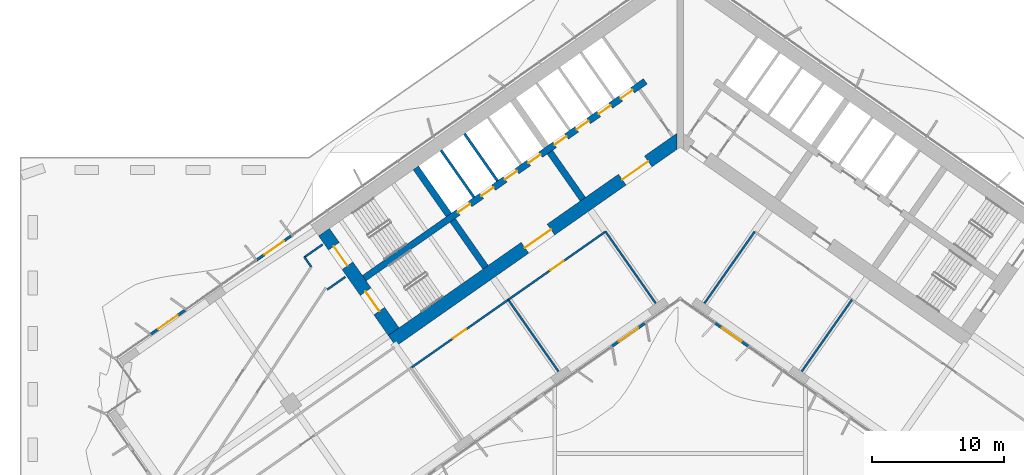
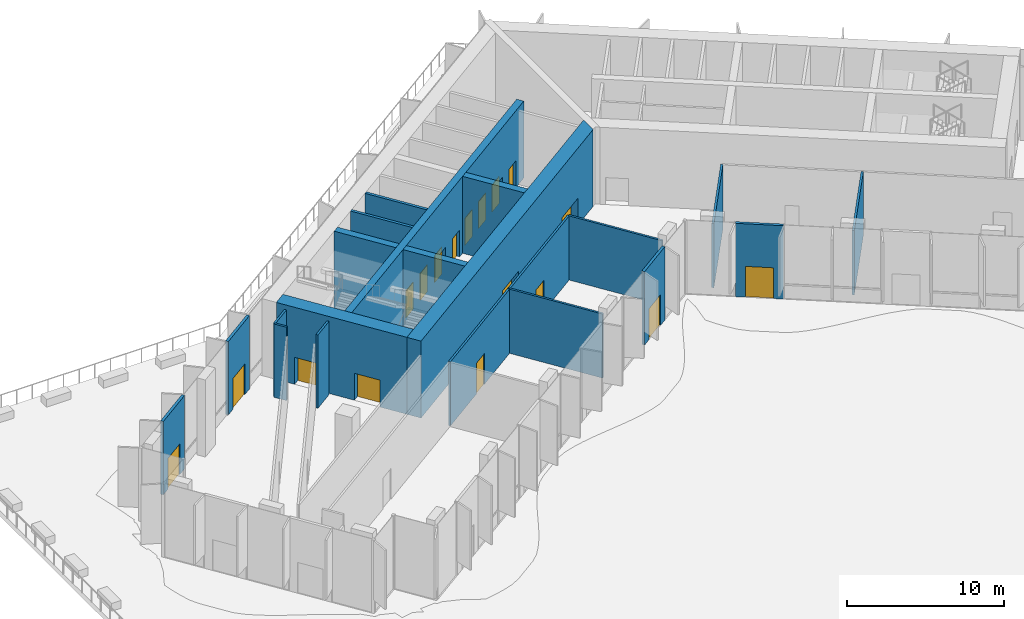
# One storey, part 18 of 27: 21 walls, 18 doors, 18 openings.
"""IFC4 building model written with IfcOpenShell, lengths in metres."""

from ifc_helpers import new_model, si_unit, direction, frame, frame_2d, origin, place, context, subcontext, project, spatial, polyline, rectangle, outline, extrude, material, layer, layer_set, type_object, element, fill, save


model = new_model("IFC4")

# Units and contexts
model_context = context("Model", 3, precision=1e-05, world=origin(), true_north=direction((0.0, 1.0)))
body_context = subcontext(model_context, "Body", "Model", "MODEL_VIEW")
ifc_project = project(units=[si_unit("LENGTHUNIT", "METRE"), si_unit("AREAUNIT", "SQUARE_METRE"), si_unit("VOLUMEUNIT", "CUBIC_METRE"), si_unit("PLANEANGLEUNIT", "RADIAN"), si_unit("MASSUNIT", "GRAM", prefix="KILO")], contexts=[model_context])

# Site, building, storey
site_placement = place(None, origin())
site = spatial("IfcSite", under=ifc_project, at=site_placement, CompositionType="ELEMENT")
building_placement = place(site_placement, origin())
building = spatial("IfcBuilding", under=site, at=building_placement, Name="Tel Ilan Convention Tower", CompositionType="ELEMENT")
storey_placement = place(building_placement, frame((0.0, 0.0, 48.5)))
storey = spatial("IfcBuildingStorey", under=building, at=storey_placement, Name="L07", CompositionType="ELEMENT", Elevation=48.5)

# Wall, openings, doors
ifc_material_1 = material(Name="Concrete C60/75", Category="concrete")
ifc_layer_1 = layer(ifc_material_1, 1.0)
ifc_layer_set_1 = layer_set([ifc_layer_1], Name="Core Shear Wall 1000 mm C60/75")
wall_type_1 = type_object("IfcWallType", Name="Core Shear Wall 1000 mm C60/75", PredefinedType="SHEAR", material=ifc_layer_set_1)
wall_1_placement = place(storey_placement, frame((0.036865234375, -0.584716796875, 0.0), z_axis=(0.0, 0.0, 1.0), x_axis=(-0.819157152511, -0.573569140985, 0.0)))
wall_1 = element("IfcWall", 1, at=wall_1_placement, inside=storey, type_object=wall_type_1, Name="L07 core wall W-front", PredefinedType="SHEAR", context=body_context, shape_type="SweptSolid", body=[
    extrude(outline(polyline([(26.69482421875, 0.500244140625), (0.7001953125, 0.499755859375), (0.0, -0.5), (26.69482421875, -0.499755859375), (26.69482421875, 0.500244140625)])), origin(), (0.0, 0.0, 1.0), 6.0),
])
opening_1_placement = place(wall_1_placement, frame((2.994873046875, 0.0, 0.0)))
opening_1 = element("IfcOpeningElement", 2, at=opening_1_placement, cuts=wall_1, Name="Opening CD1005", PredefinedType="OPENING", context=body_context, shape_type="SweptSolid", body=[
    extrude(rectangle(XDim=2.39990234375, YDim=2.10009765625, at=frame_2d((1.199951171875, 1.050048828125))), frame((0.0, 0.510009765625, 0.0), z_axis=(0.0, -1.0, 0.0), x_axis=(1.0, 0.0, 0.0)), (0.0, 0.0, 1.0), 1.02001953125),
])
opening_2_placement = place(wall_1_placement, frame((11.994873046875, 0.0, 0.0)))
opening_2 = element("IfcOpeningElement", 3, at=opening_2_placement, cuts=wall_1, Name="Opening CD1006", PredefinedType="OPENING", context=body_context, shape_type="SweptSolid", body=[
    extrude(rectangle(XDim=2.39990234375, YDim=2.10009765625, at=frame_2d((1.199951171875, 1.050048828125))), frame((0.0, 0.510009765625, 0.0), z_axis=(0.0, -1.0, 0.0), x_axis=(1.0, 0.0, 0.0)), (0.0, 0.0, 1.0), 1.02001953125),
])
ifc_material_2 = material(Name="Glazed Aluminium Door Leaf", Category="aluminium")
door_type_1 = type_object("IfcDoorType", Name="Lobby Opening Door 2400 x 2100 FD60S", OperationType="NOTDEFINED", PredefinedType="DOOR", material=ifc_material_2)
door_1_placement = place(opening_1_placement, origin())
door_1 = element("IfcDoor", 4, at=door_1_placement, inside=storey, type_object=door_type_1, Name="Lift Lobby LR1-LR4 opening", OperationType="DOUBLE_DOOR_SINGLE_SWING", OverallHeight=2.10009765625, OverallWidth=2.39990234375, PredefinedType="DOOR", context=body_context, shape_type="SweptSolid", body=[
    extrude(rectangle(XDim=2.39990234375, YDim=2.10009765625, at=frame_2d((1.199951171875, 1.050048828125))), frame((0.0, 0.02490234375, 0.0), z_axis=(0.0, -1.0, 0.0), x_axis=(1.0, 0.0, 0.0)), (0.0, 0.0, 1.0), 0.050048828125),
])
fill(opening_1, door_1)
door_2_placement = place(opening_2_placement, origin())
door_2 = element("IfcDoor", 5, at=door_2_placement, inside=storey, type_object=door_type_1, Name="Lift Lobby LR5-LR8 opening", OperationType="DOUBLE_DOOR_SINGLE_SWING", OverallHeight=2.10009765625, OverallWidth=2.39990234375, PredefinedType="DOOR", context=body_context, shape_type="SweptSolid", body=[
    extrude(rectangle(XDim=2.39990234375, YDim=2.10009765625, at=frame_2d((1.199951171875, 1.050048828125))), frame((0.0, 0.02490234375, 0.0), z_axis=(0.0, -1.0, 0.0), x_axis=(1.0, 0.0, 0.0)), (0.0, 0.0, 1.0), 0.050048828125),
])
fill(opening_2, door_2)

wall_2_placement = place(storey_placement, frame((-21.70751953125, -15.19970703125, 0.0), z_axis=(0.0, 0.0, 1.0), x_axis=(-0.573576324356, 0.819152122709, 0.0)))
wall_2 = element("IfcWall", 6, at=wall_2_placement, inside=storey, type_object=wall_type_1, Name="L07 core wall W-end", PredefinedType="SHEAR", context=body_context, shape_type="SweptSolid", body=[
    extrude(outline(polyline([(0.0, 0.5), (0.0, -0.5), (9.199951171875, -0.5), (9.199951171875, 0.5), (0.0, 0.5)])), origin(), (0.0, 0.0, 1.0), 6.0),
])
opening_3_placement = place(wall_2_placement, frame((6.10009765625, 0.0, 0.0)))
opening_3 = element("IfcOpeningElement", 7, at=opening_3_placement, cuts=wall_2, Name="Opening SD1001", PredefinedType="OPENING", context=body_context, shape_type="SweptSolid", body=[
    extrude(rectangle(XDim=1.800048828125, YDim=2.10009765625, at=frame_2d((0.89990234375, 1.050048828125))), frame((0.0, 0.510009765625, 0.0), z_axis=(0.0, -1.0, 0.0), x_axis=(1.0, 0.0, 0.0)), (0.0, 0.0, 1.0), 1.02001953125),
])
opening_4_placement = place(wall_2_placement, frame((1.89990234375, 0.0, 0.0)))
opening_4 = element("IfcOpeningElement", 8, at=opening_4_placement, cuts=wall_2, Name="Opening SD1002", PredefinedType="OPENING", context=body_context, shape_type="SweptSolid", body=[
    extrude(rectangle(XDim=1.800048828125, YDim=2.10009765625, at=frame_2d((0.89990234375, 1.050048828125))), frame((0.0, 0.510009765625, 0.0), z_axis=(0.0, -1.0, 0.0), x_axis=(1.0, 0.0, 0.0)), (0.0, 0.0, 1.0), 1.02001953125),
])
ifc_material_3 = material(Name="Galvanised Steel Door Leaf", Category="steel")
door_type_2 = type_object("IfcDoorType", Name="Stair Fire Door 1800 x 2100 FD60S", OperationType="NOTDEFINED", PredefinedType="DOOR", material=ifc_material_3)
door_3_placement = place(opening_3_placement, origin())
door_3 = element("IfcDoor", 9, at=door_3_placement, inside=storey, type_object=door_type_2, Name="Stair S1 door", OperationType="DOUBLE_DOOR_SINGLE_SWING", OverallHeight=2.10009765625, OverallWidth=1.800048828125, PredefinedType="DOOR", context=body_context, shape_type="SweptSolid", body=[
    extrude(rectangle(XDim=1.800048828125, YDim=2.10009765625, at=frame_2d((0.89990234375, 1.050048828125))), frame((0.0, 0.02490234375, 0.0), z_axis=(0.0, -1.0, 0.0), x_axis=(1.0, 0.0, 0.0)), (0.0, 0.0, 1.0), 0.050048828125),
])
fill(opening_3, door_3)
door_4_placement = place(opening_4_placement, origin())
door_4 = element("IfcDoor", 10, at=door_4_placement, inside=storey, type_object=door_type_2, Name="Stair S2 door", OperationType="DOUBLE_DOOR_SINGLE_SWING", OverallHeight=2.10009765625, OverallWidth=1.800048828125, PredefinedType="DOOR", context=body_context, shape_type="SweptSolid", body=[
    extrude(rectangle(XDim=1.800048828125, YDim=2.10009765625, at=frame_2d((0.89990234375, 1.050048828125))), frame((0.0, 0.02490234375, 0.0), z_axis=(0.0, -1.0, 0.0), x_axis=(1.0, 0.0, 0.0)), (0.0, 0.0, 1.0), 0.050048828125),
])
fill(opening_4, door_4)

# Walls
ifc_material_4 = material(Name="Concrete C60/75", Category="concrete")
ifc_layer_2 = layer(ifc_material_4, 0.5)
ifc_layer_set_2 = layer_set([ifc_layer_2], Name="Core Shear Wall 500 mm C60/75")
wall_type_2 = type_object("IfcWallType", Name="Core Shear Wall 500 mm C60/75", PredefinedType="SHEAR", material=ifc_layer_set_2)
wall_3_placement = place(storey_placement, frame((-7.372314453125, -5.162109375, 0.0), z_axis=(0.0, 0.0, 1.0), x_axis=(-0.573594173421, 0.819139624372, 0.0)))
element("IfcWall", 11, at=wall_3_placement, inside=storey, type_object=wall_type_2, Name="L07 core wall W-cross1-1", PredefinedType="SHEAR", context=body_context, shape_type="SweptSolid", body=[
    extrude(outline(polyline([(4.349853515625, 0.25), (0.0, 0.250244140625), (0.0, -0.25), (4.349853515625, -0.25), (4.349853515625, 0.25)])), origin(), (0.0, 0.0, 1.0), 6.0),
])
wall_4_placement = place(storey_placement, frame((-14.74462890625, -10.324462890625, 0.0), z_axis=(0.0, 0.0, 1.0), x_axis=(-0.57356780395, 0.819158088694, 0.0)))
element("IfcWall", 12, at=wall_4_placement, inside=storey, type_object=wall_type_2, Name="L07 core wall W-cross2-1", PredefinedType="SHEAR", context=body_context, shape_type="SweptSolid", body=[
    extrude(outline(polyline([(4.35009765625, 0.250244140625), (0.0, 0.25), (0.0, -0.25), (4.35009765625, -0.25), (4.35009765625, 0.250244140625)])), origin(), (0.0, 0.0, 1.0), 6.0),
])
wall_5_placement = place(storey_placement, frame((-17.526611328125, -6.3515625, 0.0), z_axis=(0.0, 0.0, 1.0), x_axis=(-0.573530143085, 0.819184457233, 0.0)))
element("IfcWall", 13, at=wall_5_placement, inside=storey, type_object=wall_type_2, Name="L07 core wall W-cross2-2", PredefinedType="SHEAR", context=body_context, shape_type="SweptSolid", body=[
    extrude(outline(polyline([(4.35009765625, -0.249755859375), (4.35009765625, 0.250244140625), (0.0, 0.25), (0.0, -0.25), (4.35009765625, -0.249755859375)])), origin(), (0.0, 0.0, 1.0), 6.0),
])

# Wall, openings, doors
wall_6_placement = place(storey_placement, frame((-2.638427734375, 3.76806640625, 0.0), z_axis=(0.0, 0.0, 1.0), x_axis=(-0.819148977158, -0.573580816643, 0.0)))
wall_6 = element("IfcWall", 14, at=wall_6_placement, inside=storey, type_object=wall_type_2, Name="L07 core wall W-spine", PredefinedType="SHEAR", context=body_context, shape_type="SweptSolid", body=[
    extrude(outline(polyline([(26.0, 0.249755859375), (0.0, 0.25), (0.0, -0.25), (26.0, -0.250244140625), (26.0, 0.249755859375)])), origin(), (0.0, 0.0, 1.0), 6.0),
])
opening_5_placement = place(wall_6_placement, frame((1.168701171875, 0.0, 0.0)))
opening_5 = element("IfcOpeningElement", 15, at=opening_5_placement, cuts=wall_6, Name="Opening LD1004", PredefinedType="OPENING", context=body_context, shape_type="SweptSolid", body=[
    extrude(rectangle(XDim=1.10009765625, YDim=2.10009765625, at=frame_2d((0.550048828125, 1.050048828125))), frame((0.0, 0.260009765625, 0.0), z_axis=(0.0, -1.0, 0.0), x_axis=(1.0, 0.0, 0.0)), (0.0, 0.0, 1.0), 0.52001953125),
])
opening_6_placement = place(wall_6_placement, frame((3.206298828125, 0.0, 0.0)))
opening_6 = element("IfcOpeningElement", 16, at=opening_6_placement, cuts=wall_6, Name="Opening LD1005", PredefinedType="OPENING", context=body_context, shape_type="SweptSolid", body=[
    extrude(rectangle(XDim=1.10009765625, YDim=2.10009765625, at=frame_2d((0.550048828125, 1.050048828125))), frame((0.0, 0.260009765625, 0.0), z_axis=(0.0, -1.0, 0.0), x_axis=(1.0, 0.0, 0.0)), (0.0, 0.0, 1.0), 0.52001953125),
])
opening_7_placement = place(wall_6_placement, frame((5.24365234375, 0.0, 0.0)))
opening_7 = element("IfcOpeningElement", 17, at=opening_7_placement, cuts=wall_6, Name="Opening LD1006", PredefinedType="OPENING", context=body_context, shape_type="SweptSolid", body=[
    extrude(rectangle(XDim=1.10009765625, YDim=2.10009765625, at=frame_2d((0.550048828125, 1.050048828125))), frame((0.0, 0.260009765625, 0.0), z_axis=(0.0, -1.0, 0.0), x_axis=(1.0, 0.0, 0.0)), (0.0, 0.0, 1.0), 0.52001953125),
])
opening_8_placement = place(wall_6_placement, frame((7.28125, 0.0, 0.0)))
opening_8 = element("IfcOpeningElement", 18, at=opening_8_placement, cuts=wall_6, Name="Opening LD1007", PredefinedType="OPENING", context=body_context, shape_type="SweptSolid", body=[
    extrude(rectangle(XDim=1.10009765625, YDim=2.10009765625, at=frame_2d((0.550048828125, 1.050048828125))), frame((0.0, 0.260009765625, 0.0), z_axis=(0.0, -1.0, 0.0), x_axis=(1.0, 0.0, 0.0)), (0.0, 0.0, 1.0), 0.52001953125),
])
opening_9_placement = place(wall_6_placement, frame((9.6875, 0.0, 0.0)))
opening_9 = element("IfcOpeningElement", 19, at=opening_9_placement, cuts=wall_6, Name="Opening LD1008", PredefinedType="OPENING", context=body_context, shape_type="SweptSolid", body=[
    extrude(rectangle(XDim=1.10009765625, YDim=2.10009765625, at=frame_2d((0.550048828125, 1.050048828125))), frame((0.0, 0.260009765625, 0.0), z_axis=(0.0, -1.0, 0.0), x_axis=(1.0, 0.0, 0.0)), (0.0, 0.0, 1.0), 0.52001953125),
])
opening_10_placement = place(wall_6_placement, frame((11.862548828125, 0.0, 0.0)))
opening_10 = element("IfcOpeningElement", 20, at=opening_10_placement, cuts=wall_6, Name="Opening LD1009", PredefinedType="OPENING", context=body_context, shape_type="SweptSolid", body=[
    extrude(rectangle(XDim=1.10009765625, YDim=2.10009765625, at=frame_2d((0.550048828125, 1.050048828125))), frame((0.0, 0.260009765625, 0.0), z_axis=(0.0, -1.0, 0.0), x_axis=(1.0, 0.0, 0.0)), (0.0, 0.0, 1.0), 0.52001953125),
])
opening_11_placement = place(wall_6_placement, frame((14.03759765625, 0.0, 0.0)))
opening_11 = element("IfcOpeningElement", 21, at=opening_11_placement, cuts=wall_6, Name="Opening LD1010", PredefinedType="OPENING", context=body_context, shape_type="SweptSolid", body=[
    extrude(rectangle(XDim=1.10009765625, YDim=2.10009765625, at=frame_2d((0.550048828125, 1.050048828125))), frame((0.0, 0.260009765625, 0.0), z_axis=(0.0, -1.0, 0.0), x_axis=(1.0, 0.0, 0.0)), (0.0, 0.0, 1.0), 0.52001953125),
])
opening_12_placement = place(wall_6_placement, frame((16.21240234375, 0.0, 0.0)))
opening_12 = element("IfcOpeningElement", 22, at=opening_12_placement, cuts=wall_6, Name="Opening LD1011", PredefinedType="OPENING", context=body_context, shape_type="SweptSolid", body=[
    extrude(rectangle(XDim=1.10009765625, YDim=2.10009765625, at=frame_2d((0.550048828125, 1.050048828125))), frame((0.0, 0.260009765625, 0.0), z_axis=(0.0, -1.0, 0.0), x_axis=(1.0, 0.0, 0.0)), (0.0, 0.0, 1.0), 0.52001953125),
])
ifc_material_5 = material(Name="Stainless Steel Sliding Door Leaf", Category="steel")
door_type_3 = type_object("IfcDoorType", Name="Lift Landing Door 1100 x 2100 FD120", OperationType="NOTDEFINED", PredefinedType="DOOR", material=ifc_material_5)
door_5_placement = place(opening_5_placement, origin())
door_5 = element("IfcDoor", 23, at=door_5_placement, inside=storey, type_object=door_type_3, Name="Lift LR1 landing door", OperationType="SLIDING_TO_LEFT", OverallHeight=2.10009765625, OverallWidth=1.10009765625, PredefinedType="DOOR", context=body_context, shape_type="SweptSolid", body=[
    extrude(rectangle(XDim=1.10009765625, YDim=2.10009765625, at=frame_2d((0.550048828125, 1.050048828125))), frame((0.0, 0.02490234375, 0.0), z_axis=(0.0, -1.0, 0.0), x_axis=(1.0, 0.0, 0.0)), (0.0, 0.0, 1.0), 0.050048828125),
])
fill(opening_5, door_5)
door_6_placement = place(opening_6_placement, origin())
door_6 = element("IfcDoor", 24, at=door_6_placement, inside=storey, type_object=door_type_3, Name="Lift LR2 landing door", OperationType="SLIDING_TO_RIGHT", OverallHeight=2.10009765625, OverallWidth=1.10009765625, PredefinedType="DOOR", context=body_context, shape_type="SweptSolid", body=[
    extrude(rectangle(XDim=1.10009765625, YDim=2.10009765625, at=frame_2d((0.550048828125, 1.050048828125))), frame((0.0, 0.02490234375, 0.0), z_axis=(0.0, -1.0, 0.0), x_axis=(1.0, 0.0, 0.0)), (0.0, 0.0, 1.0), 0.050048828125),
])
fill(opening_6, door_6)
door_7_placement = place(opening_7_placement, origin())
door_7 = element("IfcDoor", 25, at=door_7_placement, inside=storey, type_object=door_type_3, Name="Lift LR3 landing door", OperationType="SLIDING_TO_LEFT", OverallHeight=2.10009765625, OverallWidth=1.10009765625, PredefinedType="DOOR", context=body_context, shape_type="SweptSolid", body=[
    extrude(rectangle(XDim=1.10009765625, YDim=2.10009765625, at=frame_2d((0.550048828125, 1.050048828125))), frame((0.0, 0.02490234375, 0.0), z_axis=(0.0, -1.0, 0.0), x_axis=(1.0, 0.0, 0.0)), (0.0, 0.0, 1.0), 0.050048828125),
])
fill(opening_7, door_7)
door_8_placement = place(opening_8_placement, origin())
door_8 = element("IfcDoor", 26, at=door_8_placement, inside=storey, type_object=door_type_3, Name="Lift LR4 landing door", OperationType="SLIDING_TO_RIGHT", OverallHeight=2.10009765625, OverallWidth=1.10009765625, PredefinedType="DOOR", context=body_context, shape_type="SweptSolid", body=[
    extrude(rectangle(XDim=1.10009765625, YDim=2.10009765625, at=frame_2d((0.550048828125, 1.050048828125))), frame((0.0, 0.02490234375, 0.0), z_axis=(0.0, -1.0, 0.0), x_axis=(1.0, 0.0, 0.0)), (0.0, 0.0, 1.0), 0.050048828125),
])
fill(opening_8, door_8)
door_9_placement = place(opening_9_placement, origin())
door_9 = element("IfcDoor", 27, at=door_9_placement, inside=storey, type_object=door_type_3, Name="Lift LR5 landing door", OperationType="SLIDING_TO_LEFT", OverallHeight=2.10009765625, OverallWidth=1.10009765625, PredefinedType="DOOR", context=body_context, shape_type="SweptSolid", body=[
    extrude(rectangle(XDim=1.10009765625, YDim=2.10009765625, at=frame_2d((0.550048828125, 1.050048828125))), frame((0.0, 0.02490234375, 0.0), z_axis=(0.0, -1.0, 0.0), x_axis=(1.0, 0.0, 0.0)), (0.0, 0.0, 1.0), 0.050048828125),
])
fill(opening_9, door_9)
door_10_placement = place(opening_10_placement, origin())
door_10 = element("IfcDoor", 28, at=door_10_placement, inside=storey, type_object=door_type_3, Name="Lift LR6 landing door", OperationType="SLIDING_TO_RIGHT", OverallHeight=2.10009765625, OverallWidth=1.10009765625, PredefinedType="DOOR", context=body_context, shape_type="SweptSolid", body=[
    extrude(rectangle(XDim=1.10009765625, YDim=2.10009765625, at=frame_2d((0.550048828125, 1.050048828125))), frame((0.0, 0.02490234375, 0.0), z_axis=(0.0, -1.0, 0.0), x_axis=(1.0, 0.0, 0.0)), (0.0, 0.0, 1.0), 0.050048828125),
])
fill(opening_10, door_10)
door_11_placement = place(opening_11_placement, origin())
door_11 = element("IfcDoor", 29, at=door_11_placement, inside=storey, type_object=door_type_3, Name="Lift LR7 landing door", OperationType="SLIDING_TO_LEFT", OverallHeight=2.10009765625, OverallWidth=1.10009765625, PredefinedType="DOOR", context=body_context, shape_type="SweptSolid", body=[
    extrude(rectangle(XDim=1.10009765625, YDim=2.10009765625, at=frame_2d((0.550048828125, 1.050048828125))), frame((0.0, 0.02490234375, 0.0), z_axis=(0.0, -1.0, 0.0), x_axis=(1.0, 0.0, 0.0)), (0.0, 0.0, 1.0), 0.050048828125),
])
fill(opening_11, door_11)
door_12_placement = place(opening_12_placement, origin())
door_12 = element("IfcDoor", 30, at=door_12_placement, inside=storey, type_object=door_type_3, Name="Lift LR8 landing door", OperationType="SLIDING_TO_RIGHT", OverallHeight=2.10009765625, OverallWidth=1.10009765625, PredefinedType="DOOR", context=body_context, shape_type="SweptSolid", body=[
    extrude(rectangle(XDim=1.10009765625, YDim=2.10009765625, at=frame_2d((0.550048828125, 1.050048828125))), frame((0.0, 0.02490234375, 0.0), z_axis=(0.0, -1.0, 0.0), x_axis=(1.0, 0.0, 0.0)), (0.0, 0.0, 1.0), 0.050048828125),
])
fill(opening_12, door_12)

# Wall, opening, door
ifc_material_6 = material(Name="Plasterboard on Steel Studs", Category="steel")
ifc_layer_3 = layer(ifc_material_6, 0.14990234375)
ifc_layer_set_3 = layer_set([ifc_layer_3], Name="Fire-rated Partition 150 EI 60")
wall_type_3 = type_object("IfcWallType", Name="Fire-rated Partition 150 EI 60", PredefinedType="PARTITIONING", material=ifc_layer_set_3)
wall_7_placement = place(storey_placement, frame((-5.651611328125, -7.61962890625, 0.0), z_axis=(0.0, 0.0, 1.0), x_axis=(-0.81915291695, -0.57357519006, 0.0)))
wall_7 = element("IfcWall", 31, at=wall_7_placement, inside=storey, type_object=wall_type_3, Name="Partition 007", PredefinedType="PARTITIONING", context=body_context, shape_type="SweptSolid", body=[
    extrude(rectangle(XDim=9.001953125, YDim=0.14990234375, at=frame_2d((4.5009765625, 0.0))), origin(), (0.0, 0.0, 1.0), 5.0),
])
opening_13_placement = place(wall_7_placement, frame((3.90087890625, 0.0, 0.0)))
opening_13 = element("IfcOpeningElement", 32, at=opening_13_placement, cuts=wall_7, Name="Opening L07-001", PredefinedType="OPENING", context=body_context, shape_type="SweptSolid", body=[
    extrude(rectangle(XDim=1.199951171875, YDim=2.39990234375, at=frame_2d((0.60009765625, 1.199951171875))), frame((0.0, 0.0849609375, 0.0), z_axis=(0.0, -1.0, 0.0), x_axis=(1.0, 0.0, 0.0)), (0.0, 0.0, 1.0), 0.169921875),
])
ifc_material_7 = material(Name="Glazed Aluminium Door", Category="aluminium")
door_type_4 = type_object("IfcDoorType", Name="Glazed Lobby Door 1200x2400", OperationType="NOTDEFINED", PredefinedType="DOOR", material=ifc_material_7)
door_13_placement = place(opening_13_placement, origin())
door_13 = element("IfcDoor", 33, at=door_13_placement, inside=storey, type_object=door_type_4, Name="Door L07-001", OperationType="DOUBLE_DOOR_SINGLE_SWING", OverallHeight=2.39990234375, OverallWidth=1.199951171875, PredefinedType="DOOR", context=body_context, shape_type="SweptSolid", body=[
    extrude(rectangle(XDim=1.199951171875, YDim=2.39990234375, at=frame_2d((0.60009765625, 1.199951171875))), frame((0.0, 0.02490234375, 0.0), z_axis=(0.0, -1.0, 0.0), x_axis=(1.0, 0.0, 0.0)), (0.0, 0.0, 1.0), 0.050048828125),
])
fill(opening_13, door_13)

wall_8_placement = place(storey_placement, frame((-13.0224609375, -12.78076171875, 0.0), z_axis=(0.0, 0.0, 1.0), x_axis=(-0.819142740634, -0.573589723117, 0.0)))
wall_8 = element("IfcWall", 34, at=wall_8_placement, inside=storey, type_object=wall_type_3, Name="Partition 008", PredefinedType="PARTITIONING", context=body_context, shape_type="SweptSolid", body=[
    extrude(rectangle(XDim=9.00390625, YDim=0.14990234375, at=frame_2d((4.501953125, 0.0))), origin(), (0.0, 0.0, 1.0), 5.0),
])
opening_14_placement = place(wall_8_placement, frame((3.902099609375, 0.0, 0.0)))
opening_14 = element("IfcOpeningElement", 35, at=opening_14_placement, cuts=wall_8, Name="Opening L07-002", PredefinedType="OPENING", context=body_context, shape_type="SweptSolid", body=[
    extrude(rectangle(XDim=1.199951171875, YDim=2.39990234375, at=frame_2d((0.60009765625, 1.199951171875))), frame((0.0, 0.0849609375, 0.0), z_axis=(0.0, -1.0, 0.0), x_axis=(1.0, 0.0, 0.0)), (0.0, 0.0, 1.0), 0.169921875),
])
door_14_placement = place(opening_14_placement, origin())
door_14 = element("IfcDoor", 36, at=door_14_placement, inside=storey, type_object=door_type_4, Name="Door L07-002", OperationType="DOUBLE_DOOR_SINGLE_SWING", OverallHeight=2.39990234375, OverallWidth=1.199951171875, PredefinedType="DOOR", context=body_context, shape_type="SweptSolid", body=[
    extrude(rectangle(XDim=1.199951171875, YDim=2.39990234375, at=frame_2d((0.60009765625, 1.199951171875))), frame((0.0, 0.02490234375, 0.0), z_axis=(0.0, -1.0, 0.0), x_axis=(1.0, 0.0, 0.0)), (0.0, 0.0, 1.0), 0.050048828125),
])
fill(opening_14, door_14)

# Walls
wall_9_placement = place(storey_placement, frame((13.02392578125, -12.78173828125, 0.0), z_axis=(0.0, 0.0, 1.0), x_axis=(-0.573556251799, -0.819166177294, 0.0)))
element("IfcWall", 37, at=wall_9_placement, inside=storey, type_object=wall_type_3, Name="Partition 017", PredefinedType="PARTITIONING", context=body_context, shape_type="SweptSolid", body=[
    extrude(rectangle(XDim=6.630126953125, YDim=0.14990234375, at=frame_2d((3.31494140625, 0.0))), origin(), (0.0, 0.0, 1.0), 5.0),
])
wall_10_placement = place(storey_placement, frame((1.848876953125, -13.050537109375, 0.0), z_axis=(0.0, 0.0, 1.0), x_axis=(0.57357355307, 0.819154063177, 0.0)))
element("IfcWall", 38, at=wall_10_placement, inside=storey, type_object=wall_type_3, Name="Partition 018", PredefinedType="PARTITIONING", context=body_context, shape_type="SweptSolid", body=[
    extrude(rectangle(XDim=6.6298828125, YDim=0.14990234375, at=frame_2d((3.31494140625, 0.0))), origin(), (0.0, 0.0, 1.0), 5.0),
])
wall_11_placement = place(storey_placement, frame((-1.848876953125, -13.050537109375, 0.0), z_axis=(0.0, 0.0, 1.0), x_axis=(-0.573575988258, 0.819152358047, 0.0)))
element("IfcWall", 39, at=wall_11_placement, inside=storey, type_object=wall_type_3, Name="Partition 020", PredefinedType="PARTITIONING", context=body_context, shape_type="SweptSolid", body=[
    extrude(rectangle(XDim=6.632080078125, YDim=0.14990234375, at=frame_2d((3.31591796875, 0.0))), origin(), (0.0, 0.0, 1.0), 5.0),
])
wall_12_placement = place(storey_placement, frame((-28.466796875, -9.55615234375, 0.0), z_axis=(0.0, 0.0, 1.0), x_axis=(0.819109000826, 0.573637903879, 0.0)))
element("IfcWall", 40, at=wall_12_placement, inside=storey, type_object=wall_type_3, Name="Partition 021", PredefinedType="PARTITIONING", context=body_context, shape_type="SweptSolid", body=[
    extrude(rectangle(XDim=1.679931640625, YDim=0.14990234375, at=frame_2d((0.83984375, 0.0))), origin(), (0.0, 0.0, 1.0), 5.719970703125),
])
wall_13_placement = place(storey_placement, frame((-27.956787109375, -10.284912109375, 0.0), z_axis=(0.0, 0.0, 1.0), x_axis=(-0.573370236326, 0.819296388431, 0.0)))
element("IfcWall", 41, at=wall_13_placement, inside=storey, type_object=wall_type_3, Name="Partition 023", PredefinedType="PARTITIONING", context=body_context, shape_type="SweptSolid", body=[
    extrude(rectangle(XDim=0.889404296875, YDim=0.14990234375, at=frame_2d((0.44482421875, 0.0))), origin(), (0.0, 0.0, 1.0), 5.719970703125),
])
wall_14_placement = place(storey_placement, frame((-25.3701171875, -11.050048828125, 0.0), z_axis=(0.0, 0.0, 1.0), x_axis=(-0.819109000826, -0.573637903879, 0.0)))
element("IfcWall", 42, at=wall_14_placement, inside=storey, type_object=wall_type_3, Name="Partition 024", PredefinedType="PARTITIONING", context=body_context, shape_type="SweptSolid", body=[
    extrude(rectangle(XDim=1.679931640625, YDim=0.14990234375, at=frame_2d((0.83984375, 0.0))), origin(), (0.0, 0.0, 1.0), 5.719970703125),
])
wall_15_placement = place(storey_placement, frame((-9.22119140625, -18.212890625, 0.0), z_axis=(0.0, 0.0, 1.0), x_axis=(-0.573556251799, 0.819166177294, 0.0)))
element("IfcWall", 43, at=wall_15_placement, inside=storey, type_object=wall_type_3, Name="Partition 026", PredefinedType="PARTITIONING", context=body_context, shape_type="SweptSolid", body=[
    extrude(rectangle(XDim=6.630126953125, YDim=0.14990234375, at=frame_2d((3.31494140625, 0.0))), origin(), (0.0, 0.0, 1.0), 5.0),
])
ifc_material_8 = material(Name="Concrete C30/37", Category="concrete")
ifc_layer_4 = layer(ifc_material_8, 0.199951171875)
ifc_layer_set_4 = layer_set([ifc_layer_4], Name="Lift Shaft Wall 200 mm C30/37")
wall_type_4 = type_object("IfcWallType", Name="Lift Shaft Wall 200 mm C30/37", PredefinedType="SOLIDWALL", material=ifc_layer_set_4)
wall_16_placement = place(storey_placement, frame((-13.84033203125, -3.7705078125, 0.0), z_axis=(0.0, 0.0, 1.0), x_axis=(-0.57356780395, 0.819158088694, 0.0)))
element("IfcWall", 44, at=wall_16_placement, inside=storey, type_object=wall_type_4, Name="L07 core wall bank-W2-p1", PredefinedType="SOLIDWALL", context=body_context, shape_type="SweptSolid", body=[
    extrude(rectangle(XDim=4.35009765625, YDim=0.199951171875, at=frame_2d((2.175048828125, 0.0))), origin(), (0.0, 0.0, 1.0), 6.0),
])
wall_17_placement = place(storey_placement, frame((-15.6220703125, -5.017822265625, 0.0), z_axis=(0.0, 0.0, 1.0), x_axis=(-0.573594173421, 0.819139624372, 0.0)))
element("IfcWall", 45, at=wall_17_placement, inside=storey, type_object=wall_type_4, Name="L07 core wall bank-W2-p2", PredefinedType="SOLIDWALL", context=body_context, shape_type="SweptSolid", body=[
    extrude(rectangle(XDim=4.349853515625, YDim=0.199951171875, at=frame_2d((2.1748046875, 0.0))), origin(), (0.0, 0.0, 1.0), 6.0),
])

# Wall, opening, door
ifc_material_9 = material(Name="Aluminium composite cladding, bronze anodised on steel studs", Category="steel")
ifc_layer_5 = layer(ifc_material_9, 0.199951171875)
ifc_layer_set_5 = layer_set([ifc_layer_5], Name="TERRACE DOOR BAY WALL 200")
wall_type_5 = type_object("IfcWallType", Name="TERRACE DOOR BAY WALL 200", PredefinedType="SOLIDWALL", material=ifc_layer_set_5)
wall_18_placement = place(storey_placement, frame((-5.172607421875, -16.318115234375, 0.0), z_axis=(0.0, 0.0, 1.0), x_axis=(0.819138730461, 0.573595449998, 0.0)))
wall_18 = element("IfcWall", 46, at=wall_18_placement, inside=storey, type_object=wall_type_5, Name="Terrace door bay", PredefinedType="SOLIDWALL", context=body_context, shape_type="SweptSolid", body=[
    extrude(rectangle(XDim=3.077392578125, YDim=0.199951171875, at=frame_2d((1.53857421875, 0.0))), origin(), (0.0, 0.0, 1.0), 5.719970703125),
])
opening_15_placement = place(wall_18_placement, frame((0.638671875, 0.0, 0.0)))
opening_15 = element("IfcOpeningElement", 47, at=opening_15_placement, cuts=wall_18, Name="Opening T07.04", PredefinedType="OPENING", context=body_context, shape_type="SweptSolid", body=[
    extrude(rectangle(XDim=1.800048828125, YDim=2.39990234375, at=frame_2d((0.89990234375, 1.199951171875))), frame((0.0, 0.10986328125, 0.0), z_axis=(0.0, -1.0, 0.0), x_axis=(1.0, 0.0, 0.0)), (0.0, 0.0, 1.0), 0.219970703125),
])
ifc_material_10 = material(Name="Aluminium framed glazed door, bronze anodised", Category="aluminium")
door_type_5 = type_object("IfcDoorType", Name="TERRACE DOUBLE DOOR 1800x2400", OperationType="NOTDEFINED", PredefinedType="DOOR", material=ifc_material_10)
door_15_placement = place(opening_15_placement, origin())
door_15 = element("IfcDoor", 48, at=door_15_placement, inside=storey, type_object=door_type_5, Name="Terrace door", OperationType="DOUBLE_DOOR_DOUBLE_SWING", OverallHeight=2.39990234375, OverallWidth=1.800048828125, PredefinedType="DOOR", context=body_context, shape_type="SweptSolid", body=[
    extrude(rectangle(XDim=1.800048828125, YDim=2.39990234375, at=frame_2d((0.89990234375, 1.199951171875))), frame((0.0, 0.02490234375, 0.0), z_axis=(0.0, -1.0, 0.0), x_axis=(1.0, 0.0, 0.0)), (0.0, 0.0, 1.0), 0.050048828125),
])
fill(opening_15, door_15)

wall_19_placement = place(storey_placement, frame((2.65185546875, -14.552978515625, 0.0), z_axis=(0.0, 0.0, 1.0), x_axis=(0.819138730461, -0.573595449998, 0.0)))
wall_19 = element("IfcWall", 49, at=wall_19_placement, inside=storey, type_object=wall_type_5, Name="Terrace door bay", PredefinedType="SOLIDWALL", context=body_context, shape_type="SweptSolid", body=[
    extrude(rectangle(XDim=3.077392578125, YDim=0.199951171875, at=frame_2d((1.53857421875, 0.0))), origin(), (0.0, 0.0, 1.0), 5.719970703125),
])
opening_16_placement = place(wall_19_placement, frame((0.638671875, 0.0, 0.0)))
opening_16 = element("IfcOpeningElement", 50, at=opening_16_placement, cuts=wall_19, Name="Opening T07.05", PredefinedType="OPENING", context=body_context, shape_type="SweptSolid", body=[
    extrude(rectangle(XDim=1.800048828125, YDim=2.39990234375, at=frame_2d((0.89990234375, 1.199951171875))), frame((0.0, 0.10986328125, 0.0), z_axis=(0.0, -1.0, 0.0), x_axis=(1.0, 0.0, 0.0)), (0.0, 0.0, 1.0), 0.219970703125),
])
door_16_placement = place(opening_16_placement, origin())
door_16 = element("IfcDoor", 51, at=door_16_placement, inside=storey, type_object=door_type_5, Name="Terrace door", OperationType="DOUBLE_DOOR_DOUBLE_SWING", OverallHeight=2.39990234375, OverallWidth=1.800048828125, PredefinedType="DOOR", context=body_context, shape_type="SweptSolid", body=[
    extrude(rectangle(XDim=1.800048828125, YDim=2.39990234375, at=frame_2d((0.89990234375, 1.199951171875))), frame((0.0, 0.02490234375, 0.0), z_axis=(0.0, -1.0, 0.0), x_axis=(1.0, 0.0, 0.0)), (0.0, 0.0, 1.0), 0.050048828125),
])
fill(opening_16, door_16)

wall_20_placement = place(storey_placement, frame((-29.4501953125, -7.92529296875, 0.0), z_axis=(0.0, 0.0, 1.0), x_axis=(-0.819156924044, -0.573569467276, 0.0)))
wall_20 = element("IfcWall", 52, at=wall_20_placement, inside=storey, type_object=wall_type_5, Name="Terrace door bay", PredefinedType="SOLIDWALL", context=body_context, shape_type="SweptSolid", body=[
    extrude(rectangle(XDim=3.2119140625, YDim=0.199951171875, at=frame_2d((1.60595703125, 0.0))), origin(), (0.0, 0.0, 1.0), 5.719970703125),
])
opening_17_placement = place(wall_20_placement, frame((0.7060546875, 0.0, 0.0)))
opening_17 = element("IfcOpeningElement", 53, at=opening_17_placement, cuts=wall_20, Name="Opening T07.13", PredefinedType="OPENING", context=body_context, shape_type="SweptSolid", body=[
    extrude(rectangle(XDim=1.800048828125, YDim=2.39990234375, at=frame_2d((0.89990234375, 1.199951171875))), frame((0.0, 0.10986328125, 0.0), z_axis=(0.0, -1.0, 0.0), x_axis=(1.0, 0.0, 0.0)), (0.0, 0.0, 1.0), 0.219970703125),
])
door_17_placement = place(opening_17_placement, origin())
door_17 = element("IfcDoor", 54, at=door_17_placement, inside=storey, type_object=door_type_5, Name="Terrace door", OperationType="DOUBLE_DOOR_DOUBLE_SWING", OverallHeight=2.39990234375, OverallWidth=1.800048828125, PredefinedType="DOOR", context=body_context, shape_type="SweptSolid", body=[
    extrude(rectangle(XDim=1.800048828125, YDim=2.39990234375, at=frame_2d((0.89990234375, 1.199951171875))), frame((0.0, 0.02490234375, 0.0), z_axis=(0.0, -1.0, 0.0), x_axis=(1.0, 0.0, 0.0)), (0.0, 0.0, 1.0), 0.050048828125),
])
fill(opening_17, door_17)

wall_21_placement = place(storey_placement, frame((-37.490966796875, -13.555419921875, 0.0), z_axis=(0.0, 0.0, 1.0), x_axis=(-0.819156924044, -0.573569467276, 0.0)))
wall_21 = element("IfcWall", 55, at=wall_21_placement, inside=storey, type_object=wall_type_5, Name="Terrace door bay", PredefinedType="SOLIDWALL", context=body_context, shape_type="SweptSolid", body=[
    extrude(rectangle(XDim=3.2119140625, YDim=0.199951171875, at=frame_2d((1.60595703125, 0.0))), origin(), (0.0, 0.0, 1.0), 5.719970703125),
])
opening_18_placement = place(wall_21_placement, frame((0.7060546875, 0.0, 0.0)))
opening_18 = element("IfcOpeningElement", 56, at=opening_18_placement, cuts=wall_21, Name="Opening T07.14", PredefinedType="OPENING", context=body_context, shape_type="SweptSolid", body=[
    extrude(rectangle(XDim=1.800048828125, YDim=2.39990234375, at=frame_2d((0.89990234375, 1.199951171875))), frame((0.0, 0.10986328125, 0.0), z_axis=(0.0, -1.0, 0.0), x_axis=(1.0, 0.0, 0.0)), (0.0, 0.0, 1.0), 0.219970703125),
])
door_18_placement = place(opening_18_placement, origin())
door_18 = element("IfcDoor", 57, at=door_18_placement, inside=storey, type_object=door_type_5, Name="Terrace door", OperationType="DOUBLE_DOOR_DOUBLE_SWING", OverallHeight=2.39990234375, OverallWidth=1.800048828125, PredefinedType="DOOR", context=body_context, shape_type="SweptSolid", body=[
    extrude(rectangle(XDim=1.800048828125, YDim=2.39990234375, at=frame_2d((0.89990234375, 1.199951171875))), frame((0.0, 0.02490234375, 0.0), z_axis=(0.0, -1.0, 0.0), x_axis=(1.0, 0.0, 0.0)), (0.0, 0.0, 1.0), 0.050048828125),
])
fill(opening_18, door_18)

save(model, "model.ifc")
